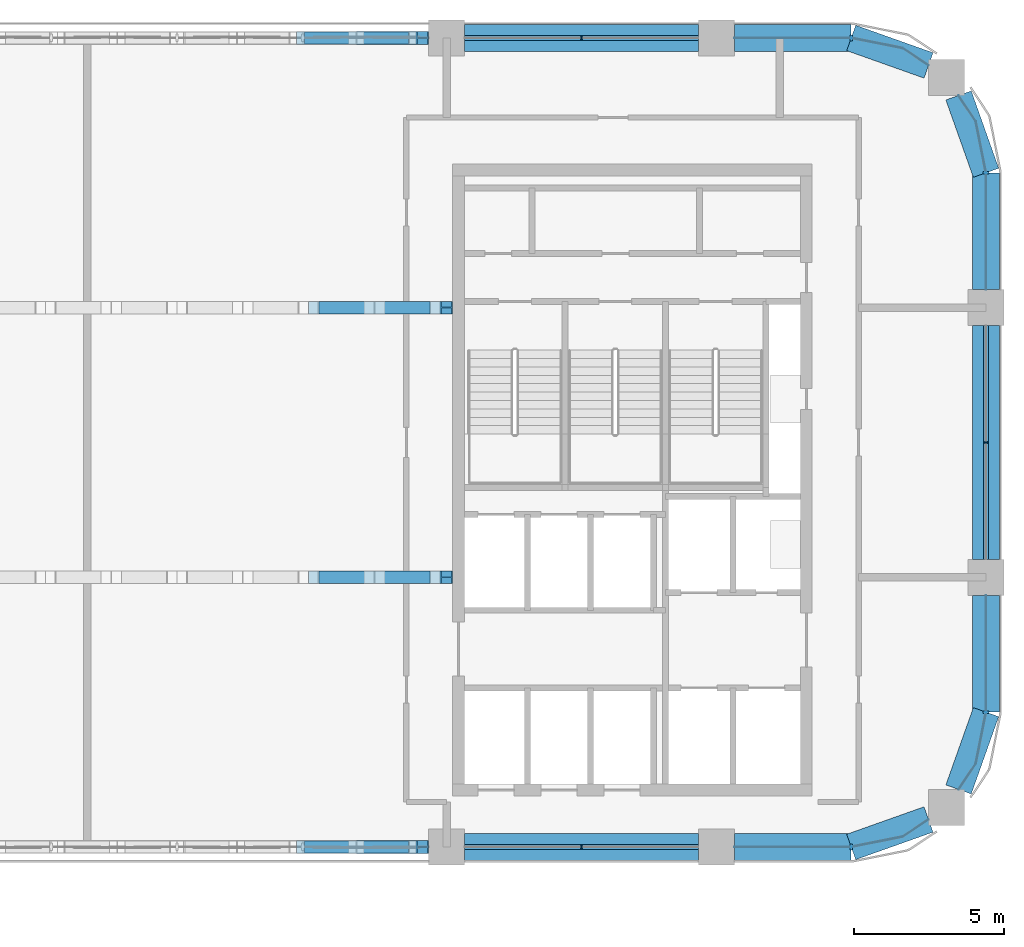
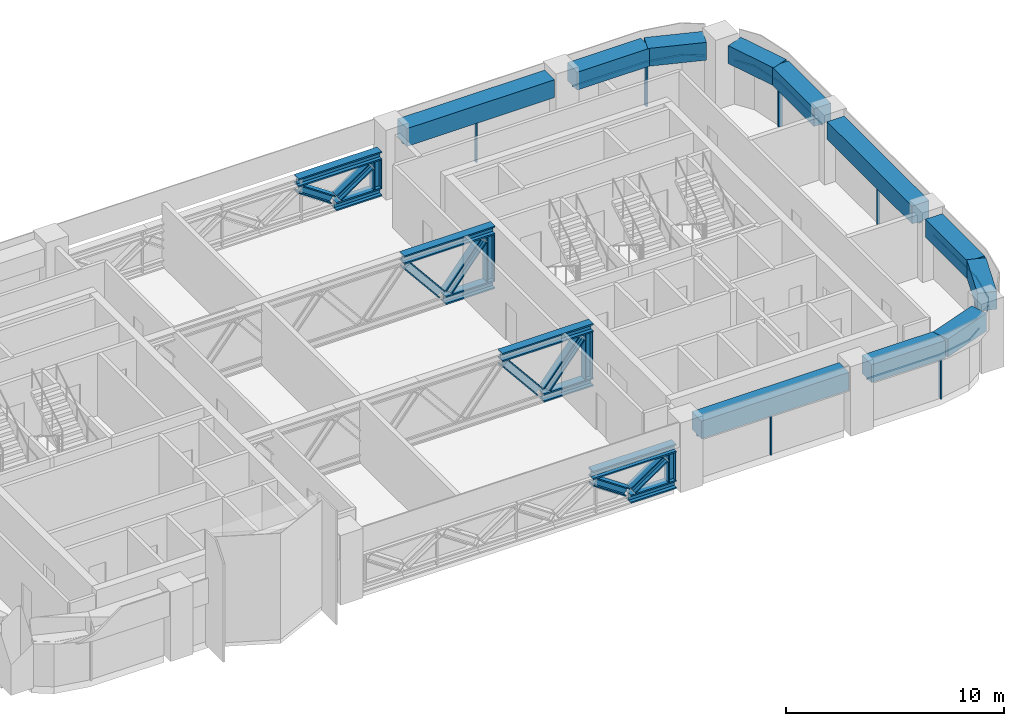
# One storey, part 5 of 14: 34 members, 11 beams, 7 elements without a shape of their own.
"""IFC4 building model written with IfcOpenShell, lengths in metres."""

from ifc_helpers import new_model, si_unit, direction, frame, origin, origin_2d, place, context, subcontext, project, spatial, polyline, rectangle, i_section, outline, extrude, material, material_profile, profile_set, type_object, element, aggregate, save


model = new_model("IFC4")

# Units and contexts
model_context = context("Model", 3, precision=1e-05, world=origin(), true_north=direction((0.0, 1.0)))
body_context = subcontext(model_context, "Body", "Model", "MODEL_VIEW")
ifc_project = project(units=[si_unit("LENGTHUNIT", "METRE"), si_unit("AREAUNIT", "SQUARE_METRE"), si_unit("VOLUMEUNIT", "CUBIC_METRE"), si_unit("PLANEANGLEUNIT", "RADIAN"), si_unit("MASSUNIT", "GRAM", prefix="KILO")], contexts=[model_context])

# Site, building, storey
site_placement = place(None, origin())
site = spatial("IfcSite", under=ifc_project, at=site_placement, CompositionType="ELEMENT")
building_placement = place(site_placement, origin())
building = spatial("IfcBuilding", under=site, at=building_placement, Name="Tessera Arch", CompositionType="ELEMENT")
storey_placement = place(building_placement, frame((0.0, 0.0, 226.699951171875)))
storey = spatial("IfcBuildingStorey", under=building, at=storey_placement, Name="L54", CompositionType="ELEMENT", Elevation=226.699951171875)

# Curtain wall, member
ifc_material_1 = material(Name="CW1 curtain wall")
curtain_wall_type_1 = type_object("IfcCurtainWallType", Name="CW1 curtain wall", PredefinedType="NOTDEFINED", material=ifc_material_1)
curtain_wall_1_placement = place(storey_placement, origin())
curtain_wall_1 = element("IfcCurtainWall", 1, at=curtain_wall_1_placement, inside=storey, type_object=curtain_wall_type_1, Name="CW1 curtain wall E54.27/0 L54", PredefinedType="NOTDEFINED")
ifc_material_2 = material(Name="Anodised aluminium pale metal", Category="aluminium")
ifc_material_profile_1 = material_profile(ifc_material_2, rectangle(XDim=0.159912109375, YDim=0.06005859375, at=origin_2d()), Name="AL 60x160")
ifc_profile_set_1 = profile_set([ifc_material_profile_1], Name="Anodised aluminium pale metal")
member_type_1 = type_object("IfcMemberType", Name="CW1 mullion", PredefinedType="MULLION", material=ifc_profile_set_1)
member_1_placement = place(storey_placement, frame((54.0, 40.5, 0.0), z_axis=(0.0, 0.0, 1.0), x_axis=(-1.0, 0.0, 0.0)))
member_1 = element("IfcMember", 2, at=member_1_placement, type_object=member_type_1, Name="CW1 mullion E54.27/0 1", PredefinedType="MULLION", context=body_context, shape_type="SweptSolid", body=[
    extrude(rectangle(XDim=0.159912109375, YDim=0.06005859375, at=origin_2d()), origin(), (0.0, 0.0, 1.0), 2.400146484375),
])

curtain_wall_2_placement = place(storey_placement, origin())
curtain_wall_2 = element("IfcCurtainWall", 3, at=curtain_wall_2_placement, inside=storey, type_object=curtain_wall_type_1, Name="CW1 curtain wall N54.0/1 L54", PredefinedType="NOTDEFINED")
member_2_placement = place(storey_placement, frame((40.5, 54.0, 0.0), z_axis=(0.0, 0.0, 1.0), x_axis=(0.0, -1.0, 0.0)))
member_2 = element("IfcMember", 4, at=member_2_placement, type_object=member_type_1, Name="CW1 mullion N54.0/1 1", PredefinedType="MULLION", context=body_context, shape_type="SweptSolid", body=[
    extrude(rectangle(XDim=0.159912109375, YDim=0.06005859375, at=origin_2d()), origin(), (0.0, 0.0, 1.0), 2.400146484375),
])

curtain_wall_3_placement = place(storey_placement, origin())
curtain_wall_3 = element("IfcCurtainWall", 5, at=curtain_wall_3_placement, inside=storey, type_object=curtain_wall_type_1, Name="CW1 curtain wall S27.0/3 L54", PredefinedType="NOTDEFINED")
member_3_placement = place(storey_placement, frame((40.5, 27.0, 0.0), z_axis=(0.0, 0.0, 1.0), x_axis=(0.0, 1.0, 0.0)))
member_3 = element("IfcMember", 6, at=member_3_placement, type_object=member_type_1, Name="CW1 mullion S27.0/3 1", PredefinedType="MULLION", context=body_context, shape_type="SweptSolid", body=[
    extrude(rectangle(XDim=0.159912109375, YDim=0.06005859375, at=origin_2d()), origin(), (0.0, 0.0, 1.0), 2.400146484375),
])

# Member
ifc_material_3 = material(Name="Anodised aluminium pale metal", Category="aluminium")
ifc_material_profile_2 = material_profile(ifc_material_3, rectangle(XDim=0.159912109375, YDim=0.10009765625, at=origin_2d()), Name="AL 160x100")
ifc_profile_set_2 = profile_set([ifc_material_profile_2], Name="Anodised aluminium pale metal")
member_type_2 = type_object("IfcMemberType", Name="CW1 transom", PredefinedType="USERDEFINED", material=ifc_profile_set_2)
member_4_placement = place(storey_placement, frame((54.0, 36.60009765625, 2.449951171875), z_axis=(0.0, 1.0, 0.0), x_axis=(-1.0, 0.0, 0.0)))
member_4 = element("IfcMember", 7, at=member_4_placement, type_object=member_type_2, Name="CW1 transom E54.27/0 1.1", ObjectType="TRANSOM", PredefinedType="USERDEFINED", context=body_context, shape_type="SweptSolid", body=[
    extrude(rectangle(XDim=0.159912109375, YDim=0.10009765625, at=origin_2d()), origin(), (0.0, 0.0, 1.0), 7.7998046875),
])

aggregate(curtain_wall_1, [member_1, member_4])

member_5_placement = place(storey_placement, frame((44.39990234375, 54.0, 2.449951171875), z_axis=(-1.0, 0.0, 0.0), x_axis=(0.0, -1.0, 0.0)))
member_5 = element("IfcMember", 8, at=member_5_placement, type_object=member_type_2, Name="CW1 transom N54.0/1 1.1", ObjectType="TRANSOM", PredefinedType="USERDEFINED", context=body_context, shape_type="SweptSolid", body=[
    extrude(rectangle(XDim=0.159912109375, YDim=0.10009765625, at=origin_2d()), origin(), (0.0, 0.0, 1.0), 7.7998046875),
])

aggregate(curtain_wall_2, [member_2, member_5])

member_6_placement = place(storey_placement, frame((36.60009765625, 27.0, 2.449951171875), z_axis=(1.0, 0.0, 0.0), x_axis=(0.0, 1.0, 0.0)))
member_6 = element("IfcMember", 9, at=member_6_placement, type_object=member_type_2, Name="CW1 transom S27.0/3 1.1", ObjectType="TRANSOM", PredefinedType="USERDEFINED", context=body_context, shape_type="SweptSolid", body=[
    extrude(rectangle(XDim=0.159912109375, YDim=0.10009765625, at=origin_2d()), origin(), (0.0, 0.0, 1.0), 7.7998046875),
])

aggregate(curtain_wall_3, [member_3, member_6])

# Curtain wall, member
ifc_material_4 = material(Name="CW2 curtain wall")
curtain_wall_type_2 = type_object("IfcCurtainWallType", Name="CW2 curtain wall", PredefinedType="NOTDEFINED", material=ifc_material_4)
curtain_wall_4_placement = place(storey_placement, origin())
curtain_wall_4 = element("IfcCurtainWall", 10, at=curtain_wall_4_placement, inside=storey, type_object=curtain_wall_type_2, Name="CW2 curtain wall E54.27/1 L54", PredefinedType="NOTDEFINED")
ifc_material_5 = material(Name="Anodised aluminium pale metal", Category="aluminium")
ifc_material_profile_3 = material_profile(ifc_material_5, rectangle(XDim=0.199951171875, YDim=0.080078125, at=origin_2d()), Name="AL 80x200")
ifc_profile_set_3 = profile_set([ifc_material_profile_3], Name="Anodised aluminium pale metal")
member_type_3 = type_object("IfcMemberType", Name="CW2 mullion", PredefinedType="MULLION", material=ifc_profile_set_3)
member_7_placement = place(storey_placement, frame((54.0, 49.5, 0.0), z_axis=(0.0, 0.0, 1.0), x_axis=(-1.0, 0.0, 0.0)))
member_7 = element("IfcMember", 11, at=member_7_placement, type_object=member_type_3, Name="CW2 mullion E54.27/1 1", PredefinedType="MULLION", context=body_context, shape_type="SweptSolid", body=[
    extrude(rectangle(XDim=0.199951171875, YDim=0.080078125, at=origin_2d()), origin(), (0.0, 0.0, 1.0), 2.400146484375),
])

curtain_wall_5_placement = place(storey_placement, origin())
curtain_wall_5 = element("IfcCurtainWall", 12, at=curtain_wall_5_placement, inside=storey, type_object=curtain_wall_type_2, Name="CW2 curtain wall N54.0/0 L54", PredefinedType="NOTDEFINED")
member_8_placement = place(storey_placement, frame((49.5, 54.0, 0.0), z_axis=(0.0, 0.0, 1.0), x_axis=(0.0, -1.0, 0.0)))
member_8 = element("IfcMember", 13, at=member_8_placement, type_object=member_type_3, Name="CW2 mullion N54.0/0 1", PredefinedType="MULLION", context=body_context, shape_type="SweptSolid", body=[
    extrude(rectangle(XDim=0.199951171875, YDim=0.080078125, at=origin_2d()), origin(), (0.0, 0.0, 1.0), 2.400146484375),
])

curtain_wall_6_placement = place(storey_placement, origin())
curtain_wall_6 = element("IfcCurtainWall", 14, at=curtain_wall_6_placement, inside=storey, type_object=curtain_wall_type_2, Name="CW2 curtain wall S27.0/4 L54", PredefinedType="NOTDEFINED")
member_9_placement = place(storey_placement, frame((49.5, 27.0, 0.0), z_axis=(0.0, 0.0, 1.0), x_axis=(0.0, 1.0, 0.0)))
member_9 = element("IfcMember", 15, at=member_9_placement, type_object=member_type_3, Name="CW2 mullion S27.0/4 1", PredefinedType="MULLION", context=body_context, shape_type="SweptSolid", body=[
    extrude(rectangle(XDim=0.199951171875, YDim=0.080078125, at=origin_2d()), origin(), (0.0, 0.0, 1.0), 2.400146484375),
])

curtain_wall_7_placement = place(storey_placement, origin())
curtain_wall_7 = element("IfcCurtainWall", 16, at=curtain_wall_7_placement, inside=storey, type_object=curtain_wall_type_2, Name="CW2 curtain wall E54.27/2 L54", PredefinedType="NOTDEFINED")
member_10_placement = place(storey_placement, frame((54.0, 31.5, 0.0), z_axis=(0.0, 0.0, 1.0), x_axis=(-1.0, 0.0, 0.0)))
member_10 = element("IfcMember", 17, at=member_10_placement, type_object=member_type_3, Name="CW2 mullion E54.27/2 1", PredefinedType="MULLION", context=body_context, shape_type="SweptSolid", body=[
    extrude(rectangle(XDim=0.199951171875, YDim=0.080078125, at=origin_2d()), origin(), (0.0, 0.0, 1.0), 2.400146484375),
])

# Member
ifc_material_6 = material(Name="Anodised aluminium pale metal", Category="aluminium")
ifc_material_profile_4 = material_profile(ifc_material_6, rectangle(XDim=0.199951171875, YDim=0.10009765625, at=origin_2d()), Name="AL 200x100")
ifc_profile_set_4 = profile_set([ifc_material_profile_4], Name="Anodised aluminium pale metal")
member_type_4 = type_object("IfcMemberType", Name="CW2 transom", PredefinedType="USERDEFINED", material=ifc_profile_set_4)
member_11_placement = place(storey_placement, frame((0.0, 0.0, 2.400146484375)))
member_11 = element("IfcMember", 18, at=member_11_placement, type_object=member_type_4, Name="CW2 transom E54.27/1 1", ObjectType="TRANSOM", PredefinedType="USERDEFINED", context=body_context, shape_type="SweptSolid", body=[
    extrude(outline(polyline([(53.989990234375, 49.4990234375), (53.989990234375, 45.60009765625), (54.010009765625, 45.60009765625), (54.010009765625, 49.5009765625), (53.6669921875, 51.22607421875), (53.09130859375, 52.087646484375), (53.07470703125, 52.076416015625), (53.648193359375, 51.21826171875), (53.989990234375, 49.4990234375)])), origin(), (0.0, 0.0, 1.0), 0.099853515625),
])

aggregate(curtain_wall_4, [member_7, member_11])

member_12_placement = place(storey_placement, frame((0.0, 0.0, 2.400146484375)))
member_12 = element("IfcMember", 19, at=member_12_placement, type_object=member_type_4, Name="CW2 transom N54.0/0 1", ObjectType="TRANSOM", PredefinedType="USERDEFINED", context=body_context, shape_type="SweptSolid", body=[
    extrude(outline(polyline([(51.21826171875, 53.648193359375), (52.076416015625, 53.07470703125), (52.087646484375, 53.09130859375), (51.22607421875, 53.6669921875), (49.5009765625, 54.010009765625), (45.60009765625, 54.010009765625), (45.60009765625, 53.989990234375), (49.4990234375, 53.989990234375), (51.21826171875, 53.648193359375)])), origin(), (0.0, 0.0, 1.0), 0.099853515625),
])

aggregate(curtain_wall_5, [member_8, member_12])

member_13_placement = place(storey_placement, frame((0.0, 0.0, 2.400146484375)))
member_13 = element("IfcMember", 20, at=member_13_placement, type_object=member_type_4, Name="CW2 transom S27.0/4 1", ObjectType="TRANSOM", PredefinedType="USERDEFINED", context=body_context, shape_type="SweptSolid", body=[
    extrude(outline(polyline([(49.4990234375, 27.010009765625), (45.60009765625, 27.010009765625), (45.60009765625, 26.989990234375), (49.5009765625, 26.989990234375), (51.22607421875, 27.3330078125), (52.087646484375, 27.90869140625), (52.076416015625, 27.92529296875), (51.21826171875, 27.351806640625), (49.4990234375, 27.010009765625)])), origin(), (0.0, 0.0, 1.0), 0.099853515625),
])

aggregate(curtain_wall_6, [member_9, member_13])

member_14_placement = place(storey_placement, frame((0.0, 0.0, 2.400146484375)))
member_14 = element("IfcMember", 21, at=member_14_placement, type_object=member_type_4, Name="CW2 transom E54.27/2 1", ObjectType="TRANSOM", PredefinedType="USERDEFINED", context=body_context, shape_type="SweptSolid", body=[
    extrude(outline(polyline([(53.648193359375, 29.78173828125), (53.07470703125, 28.923583984375), (53.09130859375, 28.912353515625), (53.6669921875, 29.77392578125), (54.010009765625, 31.4990234375), (54.010009765625, 35.39990234375), (53.989990234375, 35.39990234375), (53.989990234375, 31.5009765625), (53.648193359375, 29.78173828125)])), origin(), (0.0, 0.0, 1.0), 0.099853515625),
])

aggregate(curtain_wall_7, [member_10, member_14])

# Beams
ifc_material_7 = material(Name="Concrete C60/75", Category="concrete")
ifc_material_profile_5 = material_profile(ifc_material_7, rectangle(XDim=0.89990234375, YDim=1.0, at=origin_2d()), Name="RC spandrel beam 900 x 1000 Concrete C60/75")
ifc_profile_set_5 = profile_set([ifc_material_profile_5], Name="Concrete C60/75")
beam_type = type_object("IfcBeamType", Name="RC spandrel beam 900 x 1000 Concrete C60/75", PredefinedType="BEAM", material=ifc_profile_set_5)
beam_1_placement = place(storey_placement, frame((54.0, 36.60009765625, 3.0), z_axis=(0.0, 1.0, 0.0), x_axis=(-1.0, 0.0, 0.0)))
element("IfcBeam", 22, at=beam_1_placement, inside=storey, type_object=beam_type, Name="Spandrel beam L54 E54.27/0", PredefinedType="BEAM", context=body_context, shape_type="SweptSolid", body=[
    extrude(rectangle(XDim=0.89990234375, YDim=1.0, at=origin_2d()), origin(), (0.0, 0.0, 1.0), 7.7998046875),
])
beam_2_placement = place(storey_placement, frame((54.0, 45.60009765625, 3.0), z_axis=(0.0, 1.0, 0.0), x_axis=(-1.0, 0.0, 0.0)))
element("IfcBeam", 23, at=beam_2_placement, inside=storey, type_object=beam_type, Name="Spandrel beam L54 E54.27/1.1", PredefinedType="BEAM", context=body_context, shape_type="SweptSolid", body=[
    extrude(rectangle(XDim=0.89990234375, YDim=1.0, at=origin_2d()), origin(), (0.0, 0.0, 1.0), 3.89990234375),
])
for number, where, z_axis, x_axis, name in (
    (24, (54.0, 49.5, 3.0), (-0.334665114373, 0.942337127159, 0.0), (-0.942337127159, -0.334665114373, 0.0), "Spandrel beam L54 E54.27/1.2"),
    (25, (52.08203125, 53.0830078125, 3.0), (-0.942337127159, 0.334665114373, 0.0), (-0.334665114373, -0.942337127159, 0.0), "Spandrel beam L54 N54.0/0.1"),
):
    element("IfcBeam", number, at=place(storey_placement, frame(where, z_axis=z_axis, x_axis=x_axis)), inside=storey, type_object=beam_type, Name=name, PredefinedType="BEAM", context=body_context, shape_type="SweptSolid", body=[
        extrude(rectangle(XDim=0.89990234375, YDim=1.0, at=origin_2d()), origin(), (0.0, 0.0, 1.0), 2.739990234375),
    ])
beam_3_placement = place(storey_placement, frame((49.5, 54.0, 3.0), z_axis=(-1.0, 0.0, 0.0), x_axis=(0.0, -1.0, 0.0)))
element("IfcBeam", 26, at=beam_3_placement, inside=storey, type_object=beam_type, Name="Spandrel beam L54 N54.0/0.2", PredefinedType="BEAM", context=body_context, shape_type="SweptSolid", body=[
    extrude(rectangle(XDim=0.89990234375, YDim=1.0, at=origin_2d()), origin(), (0.0, 0.0, 1.0), 3.89990234375),
])
for number, where, z_axis, x_axis, name in (
    (27, (44.39990234375, 54.0, 3.0), (-1.0, 0.0, 0.0), (0.0, -1.0, 0.0), "Spandrel beam L54 N54.0/1"),
    (28, (36.60009765625, 27.0, 3.0), (1.0, 0.0, 0.0), (0.0, 1.0, 0.0), "Spandrel beam L54 S27.0/3"),
):
    element("IfcBeam", number, at=place(storey_placement, frame(where, z_axis=z_axis, x_axis=x_axis)), inside=storey, type_object=beam_type, Name=name, PredefinedType="BEAM", context=body_context, shape_type="SweptSolid", body=[
        extrude(rectangle(XDim=0.89990234375, YDim=1.0, at=origin_2d()), origin(), (0.0, 0.0, 1.0), 7.7998046875),
    ])
beam_4_placement = place(storey_placement, frame((45.60009765625, 27.0, 3.0), z_axis=(1.0, 0.0, 0.0), x_axis=(0.0, 1.0, 0.0)))
element("IfcBeam", 29, at=beam_4_placement, inside=storey, type_object=beam_type, Name="Spandrel beam L54 S27.0/4.1", PredefinedType="BEAM", context=body_context, shape_type="SweptSolid", body=[
    extrude(rectangle(XDim=0.89990234375, YDim=1.0, at=origin_2d()), origin(), (0.0, 0.0, 1.0), 3.89990234375),
])
for number, where, z_axis, x_axis, name in (
    (30, (49.5, 27.0, 3.0), (0.942337127159, 0.334665114373, 0.0), (-0.334665114373, 0.942337127159, 0.0), "Spandrel beam L54 S27.0/4.2"),
    (31, (53.0830078125, 28.91796875, 3.0), (0.334665114373, 0.942337127159, 0.0), (-0.942337127159, 0.334665114373, 0.0), "Spandrel beam L54 E54.27/2.1"),
):
    element("IfcBeam", number, at=place(storey_placement, frame(where, z_axis=z_axis, x_axis=x_axis)), inside=storey, type_object=beam_type, Name=name, PredefinedType="BEAM", context=body_context, shape_type="SweptSolid", body=[
        extrude(rectangle(XDim=0.89990234375, YDim=1.0, at=origin_2d()), origin(), (0.0, 0.0, 1.0), 2.739990234375),
    ])
beam_5_placement = place(storey_placement, frame((54.0, 31.5, 3.0), z_axis=(0.0, 1.0, 0.0), x_axis=(-1.0, 0.0, 0.0)))
element("IfcBeam", 32, at=beam_5_placement, inside=storey, type_object=beam_type, Name="Spandrel beam L54 E54.27/2.2", PredefinedType="BEAM", context=body_context, shape_type="SweptSolid", body=[
    extrude(rectangle(XDim=0.89990234375, YDim=1.0, at=origin_2d()), origin(), (0.0, 0.0, 1.0), 3.89990234375),
])

# Members
ifc_material_8 = material(Name="Steel A992 Gr50", Category="steel")
ifc_material_profile_6 = material_profile(ifc_material_8, i_section(OverallWidth=0.424072265625, OverallDepth=0.47412109375, WebThickness=0.047607421875, FlangeThickness=0.0771484375, at=origin_2d()), Name="W14x426")
ifc_profile_set_6 = profile_set([ifc_material_profile_6], Name="Steel A992 Gr50")
member_type_5 = type_object("IfcMemberType", Name="Truss chord W14x426", PredefinedType="CHORD", material=ifc_profile_set_6)
member_15_placement = place(storey_placement, frame((30.99169921875, 27.0, 2.262939453125), z_axis=(1.0, 0.0, 0.0), x_axis=(0.0, 1.0, 0.0)))
element("IfcMember", 33, at=member_15_placement, inside=storey, type_object=member_type_5, Name="Bridge truss top chord 4", PredefinedType="CHORD", context=body_context, shape_type="SweptSolid", body=[
    extrude(i_section(OverallWidth=0.424072265625, OverallDepth=0.47412109375, WebThickness=0.047607421875, FlangeThickness=0.0771484375, at=origin_2d()), origin(), (0.0, 0.0, 1.0), 4.408203125),
])
member_16_placement = place(storey_placement, frame((32.987548828125, 27.0, 0.237060546875), z_axis=(1.0, 0.0, 0.0), x_axis=(0.0, 1.0, 0.0)))
element("IfcMember", 34, at=member_16_placement, inside=storey, type_object=member_type_5, Name="Bridge truss bottom chord 5", PredefinedType="CHORD", context=body_context, shape_type="SweptSolid", body=[
    extrude(i_section(OverallWidth=0.424072265625, OverallDepth=0.47412109375, WebThickness=0.047607421875, FlangeThickness=0.0771484375, at=origin_2d()), origin(), (0.0, 0.0, 1.0), 2.412353515625),
])
member_17_placement = place(storey_placement, frame((31.3916015625, 36.0, 3.262939453125), z_axis=(1.0, 0.0, 0.0), x_axis=(0.0, 1.0, 0.0)))
element("IfcMember", 35, at=member_17_placement, inside=storey, type_object=member_type_5, Name="Bridge truss top chord 4", PredefinedType="CHORD", context=body_context, shape_type="SweptSolid", body=[
    extrude(i_section(OverallWidth=0.424072265625, OverallDepth=0.47412109375, WebThickness=0.047607421875, FlangeThickness=0.0771484375, at=origin_2d()), origin(), (0.0, 0.0, 1.0), 4.808349609375),
])
member_18_placement = place(storey_placement, frame((33.587646484375, 36.0, 0.237060546875), z_axis=(1.0, 0.0, 0.0), x_axis=(0.0, 1.0, 0.0)))
element("IfcMember", 36, at=member_18_placement, inside=storey, type_object=member_type_5, Name="Bridge truss bottom chord 5", PredefinedType="CHORD", context=body_context, shape_type="SweptSolid", body=[
    extrude(i_section(OverallWidth=0.424072265625, OverallDepth=0.47412109375, WebThickness=0.047607421875, FlangeThickness=0.0771484375, at=origin_2d()), origin(), (0.0, 0.0, 1.0), 2.6123046875),
])
member_19_placement = place(storey_placement, frame((31.3916015625, 45.0, 3.262939453125), z_axis=(1.0, 0.0, 0.0), x_axis=(0.0, 1.0, 0.0)))
element("IfcMember", 37, at=member_19_placement, inside=storey, type_object=member_type_5, Name="Bridge truss top chord 4", PredefinedType="CHORD", context=body_context, shape_type="SweptSolid", body=[
    extrude(i_section(OverallWidth=0.424072265625, OverallDepth=0.47412109375, WebThickness=0.047607421875, FlangeThickness=0.0771484375, at=origin_2d()), origin(), (0.0, 0.0, 1.0), 4.808349609375),
])
member_20_placement = place(storey_placement, frame((33.587646484375, 45.0, 0.237060546875), z_axis=(1.0, 0.0, 0.0), x_axis=(0.0, 1.0, 0.0)))
element("IfcMember", 38, at=member_20_placement, inside=storey, type_object=member_type_5, Name="Bridge truss bottom chord 5", PredefinedType="CHORD", context=body_context, shape_type="SweptSolid", body=[
    extrude(i_section(OverallWidth=0.424072265625, OverallDepth=0.47412109375, WebThickness=0.047607421875, FlangeThickness=0.0771484375, at=origin_2d()), origin(), (0.0, 0.0, 1.0), 2.6123046875),
])
member_21_placement = place(storey_placement, frame((30.99169921875, 54.0, 2.262939453125), z_axis=(1.0, 0.0, 0.0), x_axis=(0.0, 1.0, 0.0)))
element("IfcMember", 39, at=member_21_placement, inside=storey, type_object=member_type_5, Name="Bridge truss top chord 4", PredefinedType="CHORD", context=body_context, shape_type="SweptSolid", body=[
    extrude(i_section(OverallWidth=0.424072265625, OverallDepth=0.47412109375, WebThickness=0.047607421875, FlangeThickness=0.0771484375, at=origin_2d()), origin(), (0.0, 0.0, 1.0), 4.408203125),
])
member_22_placement = place(storey_placement, frame((32.987548828125, 54.0, 0.237060546875), z_axis=(1.0, 0.0, 0.0), x_axis=(0.0, 1.0, 0.0)))
element("IfcMember", 40, at=member_22_placement, inside=storey, type_object=member_type_5, Name="Bridge truss bottom chord 5", PredefinedType="CHORD", context=body_context, shape_type="SweptSolid", body=[
    extrude(i_section(OverallWidth=0.424072265625, OverallDepth=0.47412109375, WebThickness=0.047607421875, FlangeThickness=0.0771484375, at=origin_2d()), origin(), (0.0, 0.0, 1.0), 2.412353515625),
])
ifc_material_9 = material(Name="Steel A992 Gr50", Category="steel")
ifc_material_profile_7 = material_profile(ifc_material_9, i_section(OverallWidth=0.411376953125, OverallDepth=0.434326171875, WebThickness=0.035888671875, FlangeThickness=0.057373046875, at=origin_2d()), Name="W14x311")
ifc_profile_set_7 = profile_set([ifc_material_profile_7], Name="Steel A992 Gr50")
member_type_6 = type_object("IfcMemberType", Name="Truss diagonal W14x311", PredefinedType="BRACE", material=ifc_profile_set_7)
for number, where, z_axis, x_axis, name in (
    (41, (31.128662109375, 27.0, 1.836181640625), (0.826564441946, 0.0, -0.562842094473), (0.0, 1.0, 0.0), "Bridge truss diagonal 7"),
    (42, (33.12451171875, 27.0, 0.663818359375), (0.826564441946, 0.0, 0.562842094473), (0.0, 1.0, 0.0), "Bridge truss diagonal 8"),
):
    element("IfcMember", number, at=place(storey_placement, frame(where, z_axis=z_axis, x_axis=x_axis)), inside=storey, type_object=member_type_6, Name=name, PredefinedType="BRACE", context=body_context, shape_type="SweptSolid", body=[
        extrude(i_section(OverallWidth=0.411376953125, OverallDepth=0.434326171875, WebThickness=0.035888671875, FlangeThickness=0.057373046875, at=origin_2d()), origin(), (0.0, 0.0, 1.0), 2.0830078125),
    ])
for number, where, z_axis, x_axis, name in (
    (43, (31.5712890625, 36.0, 2.87451171875), (0.632527845623, 0.0, -0.774537619817), (0.0, 1.0, 0.0), "Bridge truss diagonal 7"),
    (44, (33.76708984375, 36.0, 0.62548828125), (0.632527845623, 0.0, 0.774537619817), (0.0, 1.0, 0.0), "Bridge truss diagonal 8"),
    (45, (31.5712890625, 45.0, 2.87451171875), (0.632527845623, 0.0, -0.774537619817), (0.0, 1.0, 0.0), "Bridge truss diagonal 7"),
    (46, (33.76708984375, 45.0, 0.62548828125), (0.632527845623, 0.0, 0.774537619817), (0.0, 1.0, 0.0), "Bridge truss diagonal 8"),
):
    element("IfcMember", number, at=place(storey_placement, frame(where, z_axis=z_axis, x_axis=x_axis)), inside=storey, type_object=member_type_6, Name=name, PredefinedType="BRACE", context=body_context, shape_type="SweptSolid", body=[
        extrude(i_section(OverallWidth=0.411376953125, OverallDepth=0.434326171875, WebThickness=0.035888671875, FlangeThickness=0.057373046875, at=origin_2d()), origin(), (0.0, 0.0, 1.0), 2.90380859375),
    ])
for number, where, z_axis, x_axis, name in (
    (47, (31.128662109375, 54.0, 1.836181640625), (0.826564441946, 0.0, -0.562842094473), (0.0, 1.0, 0.0), "Bridge truss diagonal 7"),
    (48, (33.12451171875, 54.0, 0.663818359375), (0.826564441946, 0.0, 0.562842094473), (0.0, 1.0, 0.0), "Bridge truss diagonal 8"),
):
    element("IfcMember", number, at=place(storey_placement, frame(where, z_axis=z_axis, x_axis=x_axis)), inside=storey, type_object=member_type_6, Name=name, PredefinedType="BRACE", context=body_context, shape_type="SweptSolid", body=[
        extrude(i_section(OverallWidth=0.411376953125, OverallDepth=0.434326171875, WebThickness=0.035888671875, FlangeThickness=0.057373046875, at=origin_2d()), origin(), (0.0, 0.0, 1.0), 2.0830078125),
    ])
ifc_material_10 = material(Name="Steel A992 Gr50", Category="steel")
ifc_material_profile_8 = material_profile(ifc_material_10, i_section(OverallWidth=0.406494140625, OverallDepth=0.41650390625, WebThickness=0.030029296875, FlangeThickness=0.048095703125, at=origin_2d()), Name="W14x257")
ifc_profile_set_8 = profile_set([ifc_material_profile_8], Name="Steel A992 Gr50")
member_type_7 = type_object("IfcMemberType", Name="Truss post W14x257", PredefinedType="POST", material=ifc_profile_set_8)
member_23_placement = place(storey_placement, frame((35.191650390625, 27.0, 0.474365234375), z_axis=(0.0, 0.0, 1.0), x_axis=(0.0, 1.0, 0.0)))
element("IfcMember", 49, at=member_23_placement, inside=storey, type_object=member_type_7, Name="Bridge truss end post 2", PredefinedType="POST", context=body_context, shape_type="SweptSolid", body=[
    extrude(i_section(OverallWidth=0.406494140625, OverallDepth=0.41650390625, WebThickness=0.030029296875, FlangeThickness=0.048095703125, at=origin_2d()), origin(), (0.0, 0.0, 1.0), 1.551513671875),
])
for number, where, z_axis, x_axis, name in (
    (50, (35.99169921875, 36.0, 0.474365234375), (0.0, 0.0, 1.0), (0.0, 1.0, 0.0), "Bridge truss end post 2"),
    (51, (35.99169921875, 45.0, 0.474365234375), (0.0, 0.0, 1.0), (0.0, 1.0, 0.0), "Bridge truss end post 2"),
):
    element("IfcMember", number, at=place(storey_placement, frame(where, z_axis=z_axis, x_axis=x_axis)), inside=storey, type_object=member_type_7, Name=name, PredefinedType="POST", context=body_context, shape_type="SweptSolid", body=[
        extrude(i_section(OverallWidth=0.406494140625, OverallDepth=0.41650390625, WebThickness=0.030029296875, FlangeThickness=0.048095703125, at=origin_2d()), origin(), (0.0, 0.0, 1.0), 2.551513671875),
    ])
member_24_placement = place(storey_placement, frame((35.191650390625, 54.0, 0.474365234375), z_axis=(0.0, 0.0, 1.0), x_axis=(0.0, 1.0, 0.0)))
element("IfcMember", 52, at=member_24_placement, inside=storey, type_object=member_type_7, Name="Bridge truss end post 2", PredefinedType="POST", context=body_context, shape_type="SweptSolid", body=[
    extrude(i_section(OverallWidth=0.406494140625, OverallDepth=0.41650390625, WebThickness=0.030029296875, FlangeThickness=0.048095703125, at=origin_2d()), origin(), (0.0, 0.0, 1.0), 1.551513671875),
])

save(model, "model.ifc")
